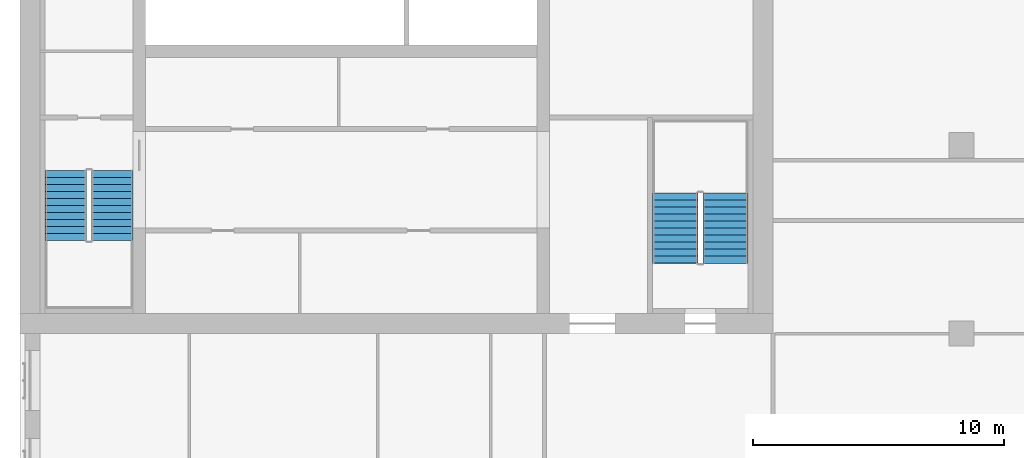
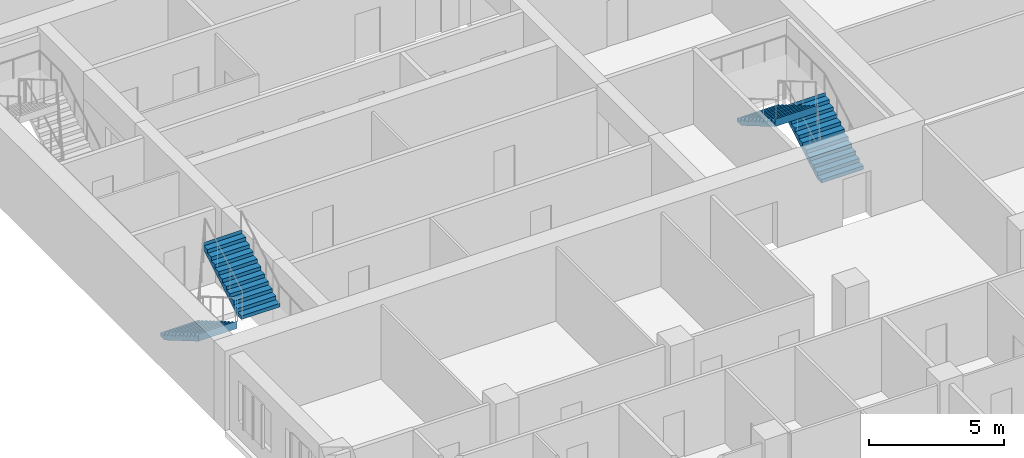
# One storey, part 12 of 14: 4 stair flights, 2 elements without a shape of their own.
"""IFC4 building model written with IfcOpenShell, lengths in metres."""

import ifcopenshell
import ifcopenshell.guid

model = None  # the IFC model being written
_history = None  # IfcOwnerHistory: only IFC2X3 demands one
_inside = {}  # id of a spatial element -> (the spatial element, [elements in it])
_under = {}  # id of a project, library or spatial element -> (it, [spatial elements below it])
_declared = {}  # id of a project -> (the project, [libraries it declares])
_typed = {}  # id of a type object -> (the type object, [elements of that type])
_made_of = {}  # id of a material, layer set ... -> (it, [elements and type objects made of it])


def new_model(schema):
    """Start an empty IFC model of exactly this schema.

    Asked for "IFC4X3", IfcOpenShell would pick the latest addendum, in which some entities
    have other attributes; the version numbers below select the first issue.
    IFC2X3 requires an IfcOwnerHistory on every rooted entity: one is made here for all.
    """
    global model, _history
    if schema == "IFC4X3":
        model = ifcopenshell.file(schema_version=(4, 3, 0, 0))
    else:
        model = ifcopenshell.file(schema=schema)
    _inside.clear()
    _under.clear()
    _declared.clear()
    _typed.clear()
    _made_of.clear()
    _history = None
    if model.schema == "IFC2X3":
        org = make("IfcOrganization", Name="unknown")
        user = make(
            "IfcPersonAndOrganization",
            ThePerson=make("IfcPerson", FamilyName="unknown"),
            TheOrganization=org,
        )
        app = make(
            "IfcApplication",
            ApplicationDeveloper=org,
            Version="unknown",
            ApplicationFullName="unknown",
            ApplicationIdentifier="unknown",
        )
        _history = make(
            "IfcOwnerHistory",
            OwningUser=user,
            OwningApplication=app,
            ChangeAction="ADDED",
            CreationDate=0,
        )
    return model


def make(cls, **values):
    """One entity of the class cls with the attributes given. An attribute that is None is left unset."""
    return model.create_entity(
        cls, **{name: value for name, value in values.items() if value is not None}
    )


def rooted(cls, **values):
    """An entity with a GlobalId (a new one), such as an element, a storey or a relation."""
    return make(cls, GlobalId=ifcopenshell.guid.new(), OwnerHistory=_history, **values)


def si_unit(unit_type, name, prefix=None):
    """IfcSIUnit, for example si_unit("LENGTHUNIT", "METRE", prefix="MILLI")."""
    return make("IfcSIUnit", UnitType=unit_type, Prefix=prefix, Name=name)


def assignment(units):
    """IfcUnitAssignment: the units of a project."""
    return None if units is None else make("IfcUnitAssignment", Units=units)


def point(xyz):
    """IfcCartesianPoint."""
    return None if xyz is None else make("IfcCartesianPoint", Coordinates=xyz)


def direction(xyz):
    """IfcDirection."""
    return None if xyz is None else make("IfcDirection", DirectionRatios=xyz)


def frame(location, z_axis=None, x_axis=None):
    """IfcAxis2Placement3D, a coordinate frame: its origin and axes. An axis left out is left unset."""
    return make(
        "IfcAxis2Placement3D",
        Location=point(location),
        Axis=direction(z_axis),
        RefDirection=direction(x_axis),
    )


def origin():
    """The frame at (0, 0, 0) with its axes left unset."""
    return frame((0.0, 0.0, 0.0))


def place(relative_to, where):
    """IfcLocalPlacement: puts the frame where relative to a parent placement (None: the world)."""
    return make(
        "IfcLocalPlacement", PlacementRelTo=relative_to, RelativePlacement=where
    )


def context(
    kind, dimensions, precision=None, world=None, true_north=None, identifier=None
):
    """IfcGeometricRepresentationContext, for example the 3D "Model" context."""
    return make(
        "IfcGeometricRepresentationContext",
        ContextIdentifier=identifier,
        ContextType=kind,
        CoordinateSpaceDimension=dimensions,
        Precision=precision,
        WorldCoordinateSystem=world,
        TrueNorth=true_north,
    )


def subcontext(parent, identifier, kind, view, scale=None):
    """IfcGeometricRepresentationSubContext, for example "Body" below "Model"."""
    return make(
        "IfcGeometricRepresentationSubContext",
        ContextIdentifier=identifier,
        ContextType=kind,
        ParentContext=parent,
        TargetScale=scale,
        TargetView=view,
    )


def project(units=None, contexts=None):
    """IfcProject with its units and contexts."""
    return rooted(
        "IfcProject",
        Name="project",
        RepresentationContexts=contexts,
        UnitsInContext=assignment(units),
    )


def spatial(cls, under=None, at=None, **own):
    """A site, building, storey or space (cls), placed at a placement, below another one or the project."""
    s = rooted(cls, ObjectPlacement=at, **own)
    if under is not None:
        _under.setdefault(under.id(), (under, []))[1].append(s)
    return s


def polyline(points):
    """IfcPolyline through the points."""
    return make("IfcPolyline", Points=[point(p) for p in points])


def outline(outer, holes=None, kind="AREA"):
    """IfcArbitraryClosedProfileDef: a profile drawn as a closed curve; with holes, ...WithVoids."""
    if holes is None:
        return make("IfcArbitraryClosedProfileDef", ProfileType=kind, OuterCurve=outer)
    return make(
        "IfcArbitraryProfileDefWithVoids",
        ProfileType=kind,
        OuterCurve=outer,
        InnerCurves=holes,
    )


def extrude(swept, where, along, depth):
    """IfcExtrudedAreaSolid: the profile swept, set in the frame where, extruded along a direction by depth."""
    return make(
        "IfcExtrudedAreaSolid",
        SweptArea=swept,
        Position=where,
        ExtrudedDirection=direction(along),
        Depth=depth,
    )


def shape(context_of_items, identifier, shape_type, items):
    """IfcShapeRepresentation: the items that make up one representation, for example the "Body"."""
    return make(
        "IfcShapeRepresentation",
        ContextOfItems=context_of_items,
        RepresentationIdentifier=identifier,
        RepresentationType=shape_type,
        Items=items,
    )


def material(Name=None, Category=None):
    """IfcMaterial."""
    return make("IfcMaterial", Name=Name, Category=Category)


def made_of(thing, what):
    """Note that an element or type object is made of a material, layer set ...; save() writes the relation."""
    if what is not None:
        _made_of.setdefault(what.id(), (what, []))[1].append(thing)
    return thing


def type_object(cls, material=None, **own):
    """A type object (cls), such as IfcWallType, which elements share."""
    return made_of(rooted(cls, **own), material)


def element(
    cls,
    number,
    at=None,
    inside=None,
    cuts=None,
    type_object=None,
    material=None,
    context=None,
    identifier="Body",
    shape_type=None,
    held_by="IfcProductDefinitionShape",
    body=None,
    shapes=None,
    **own,
):
    """One element of the class cls, such as IfcWall. Its Tag is "e" and its number.

    at: its placement. inside: the storey or other place that contains it. cuts: it is an
    opening in that element (IfcRelVoidsElement). A single representation is given by context,
    identifier, shape_type and body (its items); several are given by shapes. held_by: the class
    of the entity that holds the representations. save() writes the other relations.
    """
    e = rooted(cls, Tag="e%d" % number, ObjectPlacement=at, **own)
    if body is not None:
        shapes = [shape(context, identifier, shape_type, body)]
    if shapes is not None:
        e.Representation = make(held_by, Representations=shapes)
    if inside is not None:
        _inside.setdefault(inside.id(), (inside, []))[1].append(e)
    if cuts is not None:
        rooted(
            "IfcRelVoidsElement", RelatingBuildingElement=cuts, RelatedOpeningElement=e
        )
    if type_object is not None:
        _typed.setdefault(type_object.id(), (type_object, []))[1].append(e)
    return made_of(e, material)


def aggregate(whole, parts):
    """IfcRelAggregates: a whole, such as a stair, and the parts it consists of."""
    return rooted("IfcRelAggregates", RelatingObject=whole, RelatedObjects=parts)


def save(model, path):
    """Write the relations noted so far, then the file.

    IfcRelAggregates (storeys below a building ...), IfcRelContainedInSpatialStructure (elements
    in a storey), IfcRelDefinesByType, IfcRelAssociatesMaterial and IfcRelDeclares: one each for
    every whole, place, type object, material and project.
    """
    for whole, parts in _under.values():
        aggregate(whole, parts)
    for where, things in _inside.values():
        rooted(
            "IfcRelContainedInSpatialStructure",
            RelatedElements=things,
            RelatingStructure=where,
        )
    for kind, things in _typed.values():
        rooted("IfcRelDefinesByType", RelatedObjects=things, RelatingType=kind)
    for what, things in _made_of.values():
        rooted("IfcRelAssociatesMaterial", RelatedObjects=things, RelatingMaterial=what)
    for by, libraries in _declared.values():
        rooted("IfcRelDeclares", RelatingContext=by, RelatedDefinitions=libraries)
    model.write(path)


model = new_model("IFC4")

# Units and contexts
model_context = context("Model", 3, precision=1e-05, world=origin(), true_north=direction((0.0, 1.0)))
body_context = subcontext(model_context, "Body", "Model", "MODEL_VIEW")
ifc_project = project(units=[si_unit("LENGTHUNIT", "METRE"), si_unit("AREAUNIT", "SQUARE_METRE"), si_unit("VOLUMEUNIT", "CUBIC_METRE"), si_unit("PLANEANGLEUNIT", "RADIAN"), si_unit("MASSUNIT", "GRAM", prefix="KILO")], contexts=[model_context])

# Site, building, storey
site_placement = place(None, origin())
site = spatial("IfcSite", under=ifc_project, at=site_placement, CompositionType="ELEMENT")
building_placement = place(site_placement, origin())
building = spatial("IfcBuilding", under=site, at=building_placement, Name="Tamorin Gate", CompositionType="ELEMENT")
storey_placement = place(building_placement, frame((0.0, 0.0, 137.39990234375)))
storey = spatial("IfcBuildingStorey", under=building, at=storey_placement, Name="L33", CompositionType="ELEMENT", Elevation=137.39990234375)

# Stair, stair flights
ifc_material = material(Name="Concrete C40/50", Category="concrete")
stair_type = type_object("IfcStairType", Name="Exit stair", PredefinedType="HALF_TURN_STAIR", material=ifc_material)
stair_1_placement = place(storey_placement, origin())
stair_1 = element("IfcStair", 1, at=stair_1_placement, inside=storey, type_object=stair_type, Name="L33 stair ST1", PredefinedType="HALF_TURN_STAIR")
stair_flight_type = type_object("IfcStairFlightType", Name="Exit stair flight", PredefinedType="STRAIGHT", material=ifc_material)
stair_flight_1_placement = place(storey_placement, frame((31.824951171875, 66.5, 0.0), z_axis=(0.0, 0.0, 1.0), x_axis=(0.0, -1.0, 0.0)))
stair_flight_1 = element("IfcStairFlight", 2, at=stair_flight_1_placement, type_object=stair_flight_type, Name="ST1 flight 1", NumberOfRisers=11, NumberOfTreads=10, PredefinedType="STRAIGHT", RiserHeight=0.163636364, TreadLength=0.28, context=body_context, shape_type="SweptSolid", body=[
    extrude(outline(polyline([(-0.00048828125, 0.0), (-0.00048828125, 0.001708984375), (-0.00048828125, 0.003173828125), (-0.00048828125, 0.0048828125), (-0.00048828125, 0.006591796875), (-0.00048828125, 0.008056640625), (-0.00048828125, 0.009765625), (-0.00048828125, 0.01123046875), (-0.00048828125, 0.012939453125), (-0.00048828125, 0.0146484375), (-0.00048828125, 0.01611328125), (-0.00048828125, 0.017822265625), (-0.00048828125, 0.01953125), (-0.00048828125, 0.02099609375), (-0.00048828125, 0.022705078125), (-0.00048828125, 0.0244140625), (-0.00048828125, 0.02587890625), (-0.00048828125, 0.027587890625), (-0.00048828125, 0.029052734375), (-0.00048828125, 0.03076171875), (-0.00048828125, 0.032470703125), (-0.00048828125, 0.033935546875), (-0.00048828125, 0.03564453125), (-0.00048828125, 0.037353515625), (-0.00048828125, 0.038818359375), (-0.00048828125, 0.04052734375), (-0.00048828125, 0.042236328125), (-0.00048828125, 0.043701171875), (-0.00048828125, 0.04541015625), (-0.00048828125, 0.046875), (-0.00048828125, 0.048583984375), (-0.00048828125, 0.05029296875), (-0.00048828125, 0.0517578125), (-0.00048828125, 0.053466796875), (-0.00048828125, 0.05517578125), (-0.00048828125, 0.056640625), (-0.00048828125, 0.058349609375), (-0.00048828125, 0.06005859375), (-0.00048828125, 0.0615234375), (-0.00048828125, 0.063232421875), (-0.00048828125, 0.064697265625), (-0.00048828125, 0.06640625), (-0.00048828125, 0.068115234375), (-0.00048828125, 0.069580078125), (-0.00048828125, 0.0712890625), (-0.00048828125, 0.072998046875), (-0.00048828125, 0.074462890625), (-0.00048828125, 0.076171875), (-0.00048828125, 0.077880859375), (-0.00048828125, 0.079345703125), (-0.00048828125, 0.0810546875), (-0.00048828125, 0.08251953125), (-0.00048828125, 0.084228515625), (-0.00048828125, 0.0859375), (-0.00048828125, 0.08740234375), (-0.00048828125, 0.089111328125), (-0.00048828125, 0.0908203125), (-0.00048828125, 0.09228515625), (-0.00048828125, 0.093994140625), (-0.00048828125, 0.095703125), (-0.00048828125, 0.09716796875), (-0.00048828125, 0.098876953125), (-0.00048828125, 0.100341796875), (-0.00048828125, 0.10205078125), (-0.00048828125, 0.103759765625), (-0.00048828125, 0.105224609375), (-0.00048828125, 0.10693359375), (-0.00048828125, 0.108642578125), (-0.00048828125, 0.110107421875), (-0.00048828125, 0.11181640625), (-0.00048828125, 0.113525390625), (-0.00048828125, 0.114990234375), (-0.00048828125, 0.11669921875), (-0.00048828125, 0.1181640625), (-0.00048828125, 0.119873046875), (-0.00048828125, 0.12158203125), (-0.00048828125, 0.123046875), (-0.00048828125, 0.124755859375), (-0.00048828125, 0.12646484375), (-0.00048828125, 0.1279296875), (-0.00048828125, 0.129638671875), (-0.00048828125, 0.13134765625), (-0.00048828125, 0.1328125), (-0.00048828125, 0.134521484375), (-0.00048828125, 0.135986328125), (-0.00048828125, 0.1376953125), (-0.00048828125, 0.139404296875), (-0.00048828125, 0.140869140625), (-0.00048828125, 0.142578125), (-0.00048828125, 0.144287109375), (-0.00048828125, 0.145751953125), (-0.00048828125, 0.1474609375), (-0.00048828125, 0.149169921875), (-0.00048828125, 0.150634765625), (-0.00048828125, 0.15234375), (-0.00048828125, 0.15380859375), (-0.00048828125, 0.155517578125), (-0.00048828125, 0.1572265625), (-0.00048828125, 0.15869140625), (-0.00048828125, 0.160400390625), (-0.00048828125, 0.162109375), (-0.00048828125, 0.16357421875), (0.280029296875, 0.16357421875), (0.280029296875, 0.327392578125), (0.56005859375, 0.327392578125), (0.56005859375, 0.490966796875), (0.840087890625, 0.490966796875), (0.840087890625, 0.654541015625), (1.1201171875, 0.654541015625), (1.1201171875, 0.818115234375), (1.39990234375, 0.818115234375), (1.39990234375, 0.98193359375), (1.679931640625, 0.98193359375), (1.679931640625, 1.1455078125), (1.9599609375, 1.1455078125), (1.9599609375, 1.30908203125), (2.239990234375, 1.30908203125), (2.239990234375, 1.47265625), (2.52001953125, 1.47265625), (2.52001953125, 1.636474609375), (2.800048828125, 1.636474609375), (2.800048828125, 1.800048828125), (2.800537109375, 1.800048828125), (2.800537109375, 1.796630859375), (2.800537109375, 1.793212890625), (2.800537109375, 1.7900390625), (2.800537109375, 1.78662109375), (2.800537109375, 1.783203125), (2.800537109375, 1.780029296875), (2.800537109375, 1.776611328125), (2.800537109375, 1.773193359375), (2.800537109375, 1.77001953125), (2.800537109375, 1.7666015625), (2.800537109375, 1.76318359375), (2.800537109375, 1.760009765625), (2.800537109375, 1.756591796875), (2.800537109375, 1.753173828125), (2.800537109375, 1.75), (2.800537109375, 1.74658203125), (2.800537109375, 1.7431640625), (2.800537109375, 1.739990234375), (2.800537109375, 1.736572265625), (2.800537109375, 1.733154296875), (2.800537109375, 1.72998046875), (2.800537109375, 1.7265625), (2.800537109375, 1.72314453125), (2.800537109375, 1.719970703125), (2.800537109375, 1.716552734375), (2.800537109375, 1.713134765625), (2.800537109375, 1.7099609375), (2.800537109375, 1.70654296875), (2.800537109375, 1.703125), (2.800537109375, 1.69970703125), (2.800537109375, 1.696533203125), (2.800537109375, 1.693115234375), (2.800537109375, 1.689697265625), (2.800537109375, 1.6865234375), (2.800537109375, 1.68310546875), (2.800537109375, 1.6796875), (2.800537109375, 1.676513671875), (2.800537109375, 1.673095703125), (2.800537109375, 1.669677734375), (2.800537109375, 1.66650390625), (2.800537109375, 1.6630859375), (2.800537109375, 1.65966796875), (2.800537109375, 1.656494140625), (2.800537109375, 1.653076171875), (2.800537109375, 1.649658203125), (2.800537109375, 1.646484375), (2.800537109375, 1.64306640625), (2.800537109375, 1.6396484375), (2.800537109375, 1.636474609375), (2.800537109375, 1.633056640625), (2.800537109375, 1.629638671875), (2.800537109375, 1.62646484375), (2.800537109375, 1.623046875), (2.800537109375, 1.61962890625), (2.800537109375, 1.616455078125), (2.800537109375, 1.613037109375), (2.800537109375, 1.609619140625), (2.800537109375, 1.6064453125), (2.800537109375, 1.60302734375), (2.800537109375, 1.599609375), (2.800537109375, 1.59619140625), (2.800537109375, 1.593017578125), (2.800537109375, 1.589599609375), (2.800537109375, 1.586181640625), (2.800537109375, 1.5830078125), (2.800537109375, 1.57958984375), (2.800537109375, 1.576171875), (2.800537109375, 1.572998046875), (2.800537109375, 1.569580078125), (2.800537109375, 1.566162109375), (2.800537109375, 1.56298828125), (2.800537109375, 1.5595703125), (2.800537109375, 1.55615234375), (2.800537109375, 1.552978515625), (2.800537109375, 1.549560546875), (2.800537109375, 1.546142578125), (2.800537109375, 1.54296875), (2.800537109375, 1.53955078125), (2.800537109375, 1.5361328125), (2.800537109375, 1.532958984375), (2.800537109375, 1.529541015625), (2.800537109375, 1.526123046875), (2.800537109375, 1.52294921875), (2.800537109375, 1.51953125), (2.800537109375, 1.51611328125), (2.800537109375, 1.512939453125), (2.800537109375, 1.509521484375), (2.800537109375, 1.506103515625), (2.800537109375, 1.5029296875), (2.800537109375, 1.49951171875), (2.800537109375, 1.49609375), (2.800537109375, 1.49267578125), (2.800537109375, 1.489501953125), (2.800537109375, 1.486083984375), (2.800537109375, 1.482666015625), (2.800537109375, 1.4794921875), (2.800537109375, 1.47607421875), (2.800537109375, 1.47265625), (2.800537109375, 1.469482421875), (2.800537109375, 1.466064453125), (2.800537109375, 1.462646484375), (2.800048828125, 1.462646484375), (0.297119140625, 0.0), (-0.00048828125, 0.0)])), frame((0.0, 0.824951171875, 0.0), z_axis=(0.0, -1.0, 0.0), x_axis=(1.0, 0.0, 0.0)), (0.0, 0.0, 1.0), 1.64990234375),
])
stair_flight_2_placement = place(storey_placement, frame((33.675048828125, 63.699951171875, 1.800048828125), z_axis=(0.0, 0.0, 1.0), x_axis=(0.0, 1.0, 0.0)))
stair_flight_2 = element("IfcStairFlight", 3, at=stair_flight_2_placement, type_object=stair_flight_type, Name="ST1 flight 2", NumberOfRisers=11, NumberOfTreads=10, PredefinedType="STRAIGHT", RiserHeight=0.163636364, TreadLength=0.28, context=body_context, shape_type="SweptSolid", body=[
    extrude(outline(polyline([(-0.00048828125, 0.0), (-0.00048828125, 0.001708984375), (-0.00048828125, 0.003173828125), (-0.00048828125, 0.0048828125), (-0.00048828125, 0.006591796875), (-0.00048828125, 0.008056640625), (-0.00048828125, 0.009765625), (-0.00048828125, 0.01123046875), (-0.00048828125, 0.012939453125), (-0.00048828125, 0.0146484375), (-0.00048828125, 0.01611328125), (-0.00048828125, 0.017822265625), (-0.00048828125, 0.01953125), (-0.00048828125, 0.02099609375), (-0.00048828125, 0.022705078125), (-0.00048828125, 0.0244140625), (-0.00048828125, 0.02587890625), (-0.00048828125, 0.027587890625), (-0.00048828125, 0.029052734375), (-0.00048828125, 0.03076171875), (-0.00048828125, 0.032470703125), (-0.00048828125, 0.033935546875), (-0.00048828125, 0.03564453125), (-0.00048828125, 0.037353515625), (-0.00048828125, 0.038818359375), (-0.00048828125, 0.04052734375), (-0.00048828125, 0.042236328125), (-0.00048828125, 0.043701171875), (-0.00048828125, 0.04541015625), (-0.00048828125, 0.046875), (-0.00048828125, 0.048583984375), (-0.00048828125, 0.05029296875), (-0.00048828125, 0.0517578125), (-0.00048828125, 0.053466796875), (-0.00048828125, 0.05517578125), (-0.00048828125, 0.056640625), (-0.00048828125, 0.058349609375), (-0.00048828125, 0.06005859375), (-0.00048828125, 0.0615234375), (-0.00048828125, 0.063232421875), (-0.00048828125, 0.064697265625), (-0.00048828125, 0.06640625), (-0.00048828125, 0.068115234375), (-0.00048828125, 0.069580078125), (-0.00048828125, 0.0712890625), (-0.00048828125, 0.072998046875), (-0.00048828125, 0.074462890625), (-0.00048828125, 0.076171875), (-0.00048828125, 0.077880859375), (-0.00048828125, 0.079345703125), (-0.00048828125, 0.0810546875), (-0.00048828125, 0.08251953125), (-0.00048828125, 0.084228515625), (-0.00048828125, 0.0859375), (-0.00048828125, 0.08740234375), (-0.00048828125, 0.089111328125), (-0.00048828125, 0.0908203125), (-0.00048828125, 0.09228515625), (-0.00048828125, 0.093994140625), (-0.00048828125, 0.095703125), (-0.00048828125, 0.09716796875), (-0.00048828125, 0.098876953125), (-0.00048828125, 0.100341796875), (-0.00048828125, 0.10205078125), (-0.00048828125, 0.103759765625), (-0.00048828125, 0.105224609375), (-0.00048828125, 0.10693359375), (-0.00048828125, 0.108642578125), (-0.00048828125, 0.110107421875), (-0.00048828125, 0.11181640625), (-0.00048828125, 0.113525390625), (-0.00048828125, 0.114990234375), (-0.00048828125, 0.11669921875), (-0.00048828125, 0.1181640625), (-0.00048828125, 0.119873046875), (-0.00048828125, 0.12158203125), (-0.00048828125, 0.123046875), (-0.00048828125, 0.124755859375), (-0.00048828125, 0.12646484375), (-0.00048828125, 0.1279296875), (-0.00048828125, 0.129638671875), (-0.00048828125, 0.13134765625), (-0.00048828125, 0.1328125), (-0.00048828125, 0.134521484375), (-0.00048828125, 0.135986328125), (-0.00048828125, 0.1376953125), (-0.00048828125, 0.139404296875), (-0.00048828125, 0.140869140625), (-0.00048828125, 0.142578125), (-0.00048828125, 0.144287109375), (-0.00048828125, 0.145751953125), (-0.00048828125, 0.1474609375), (-0.00048828125, 0.149169921875), (-0.00048828125, 0.150634765625), (-0.00048828125, 0.15234375), (-0.00048828125, 0.15380859375), (-0.00048828125, 0.155517578125), (-0.00048828125, 0.1572265625), (-0.00048828125, 0.15869140625), (-0.00048828125, 0.160400390625), (-0.00048828125, 0.162109375), (-0.00048828125, 0.16357421875), (0.280029296875, 0.16357421875), (0.280029296875, 0.327392578125), (0.56005859375, 0.327392578125), (0.56005859375, 0.490966796875), (0.840087890625, 0.490966796875), (0.840087890625, 0.654541015625), (1.1201171875, 0.654541015625), (1.1201171875, 0.818115234375), (1.39990234375, 0.818115234375), (1.39990234375, 0.98193359375), (1.679931640625, 0.98193359375), (1.679931640625, 1.1455078125), (1.9599609375, 1.1455078125), (1.9599609375, 1.30908203125), (2.239990234375, 1.30908203125), (2.239990234375, 1.47265625), (2.52001953125, 1.47265625), (2.52001953125, 1.636474609375), (2.800048828125, 1.636474609375), (2.800048828125, 1.800048828125), (2.800537109375, 1.800048828125), (2.800537109375, 1.796630859375), (2.800537109375, 1.793212890625), (2.800537109375, 1.7900390625), (2.800537109375, 1.78662109375), (2.800537109375, 1.783203125), (2.800537109375, 1.780029296875), (2.800537109375, 1.776611328125), (2.800537109375, 1.773193359375), (2.800537109375, 1.77001953125), (2.800537109375, 1.7666015625), (2.800537109375, 1.76318359375), (2.800537109375, 1.760009765625), (2.800537109375, 1.756591796875), (2.800537109375, 1.753173828125), (2.800537109375, 1.75), (2.800537109375, 1.74658203125), (2.800537109375, 1.7431640625), (2.800537109375, 1.739990234375), (2.800537109375, 1.736572265625), (2.800537109375, 1.733154296875), (2.800537109375, 1.72998046875), (2.800537109375, 1.7265625), (2.800537109375, 1.72314453125), (2.800537109375, 1.719970703125), (2.800537109375, 1.716552734375), (2.800537109375, 1.713134765625), (2.800537109375, 1.7099609375), (2.800537109375, 1.70654296875), (2.800537109375, 1.703125), (2.800537109375, 1.69970703125), (2.800537109375, 1.696533203125), (2.800537109375, 1.693115234375), (2.800537109375, 1.689697265625), (2.800537109375, 1.6865234375), (2.800537109375, 1.68310546875), (2.800537109375, 1.6796875), (2.800537109375, 1.676513671875), (2.800537109375, 1.673095703125), (2.800537109375, 1.669677734375), (2.800537109375, 1.66650390625), (2.800537109375, 1.6630859375), (2.800537109375, 1.65966796875), (2.800537109375, 1.656494140625), (2.800537109375, 1.653076171875), (2.800537109375, 1.649658203125), (2.800537109375, 1.646484375), (2.800537109375, 1.64306640625), (2.800537109375, 1.6396484375), (2.800537109375, 1.636474609375), (2.800537109375, 1.633056640625), (2.800537109375, 1.629638671875), (2.800537109375, 1.62646484375), (2.800537109375, 1.623046875), (2.800537109375, 1.61962890625), (2.800537109375, 1.616455078125), (2.800537109375, 1.613037109375), (2.800537109375, 1.609619140625), (2.800537109375, 1.6064453125), (2.800537109375, 1.60302734375), (2.800537109375, 1.599609375), (2.800537109375, 1.59619140625), (2.800537109375, 1.593017578125), (2.800537109375, 1.589599609375), (2.800537109375, 1.586181640625), (2.800537109375, 1.5830078125), (2.800537109375, 1.57958984375), (2.800537109375, 1.576171875), (2.800537109375, 1.572998046875), (2.800537109375, 1.569580078125), (2.800537109375, 1.566162109375), (2.800537109375, 1.56298828125), (2.800537109375, 1.5595703125), (2.800537109375, 1.55615234375), (2.800537109375, 1.552978515625), (2.800537109375, 1.549560546875), (2.800537109375, 1.546142578125), (2.800537109375, 1.54296875), (2.800537109375, 1.53955078125), (2.800537109375, 1.5361328125), (2.800537109375, 1.532958984375), (2.800537109375, 1.529541015625), (2.800537109375, 1.526123046875), (2.800537109375, 1.52294921875), (2.800537109375, 1.51953125), (2.800537109375, 1.51611328125), (2.800537109375, 1.512939453125), (2.800537109375, 1.509521484375), (2.800537109375, 1.506103515625), (2.800537109375, 1.5029296875), (2.800537109375, 1.49951171875), (2.800537109375, 1.49609375), (2.800537109375, 1.49267578125), (2.800537109375, 1.489501953125), (2.800537109375, 1.486083984375), (2.800537109375, 1.482666015625), (2.800537109375, 1.4794921875), (2.800537109375, 1.47607421875), (2.800537109375, 1.47265625), (2.800537109375, 1.469482421875), (2.800537109375, 1.466064453125), (2.800537109375, 1.462646484375), (2.800048828125, 1.462646484375), (0.297119140625, 0.0), (-0.00048828125, 0.0)])), frame((0.0, 0.824951171875, 0.0), z_axis=(0.0, -1.0, 0.0), x_axis=(1.0, 0.0, 0.0)), (0.0, 0.0, 1.0), 1.64990234375),
])
aggregate(stair_1, [stair_flight_1, stair_flight_2])

stair_2_placement = place(storey_placement, origin())
stair_2 = element("IfcStair", 4, at=stair_2_placement, inside=storey, type_object=stair_type, Name="L33 stair ST3", PredefinedType="HALF_TURN_STAIR")
stair_flight_3_placement = place(storey_placement, frame((58.10009765625, 62.800048828125, 0.0), z_axis=(0.0, 0.0, 1.0), x_axis=(0.0, 1.0, 0.0)))
stair_flight_3 = element("IfcStairFlight", 5, at=stair_flight_3_placement, type_object=stair_flight_type, Name="ST3 flight 1", NumberOfRisers=11, NumberOfTreads=10, PredefinedType="STRAIGHT", RiserHeight=0.163636364, TreadLength=0.28, context=body_context, shape_type="SweptSolid", body=[
    extrude(outline(polyline([(-0.00048828125, 0.0), (-0.00048828125, 0.001708984375), (-0.00048828125, 0.003173828125), (-0.00048828125, 0.0048828125), (-0.00048828125, 0.006591796875), (-0.00048828125, 0.008056640625), (-0.00048828125, 0.009765625), (-0.00048828125, 0.01123046875), (-0.00048828125, 0.012939453125), (-0.00048828125, 0.0146484375), (-0.00048828125, 0.01611328125), (-0.00048828125, 0.017822265625), (-0.00048828125, 0.01953125), (-0.00048828125, 0.02099609375), (-0.00048828125, 0.022705078125), (-0.00048828125, 0.0244140625), (-0.00048828125, 0.02587890625), (-0.00048828125, 0.027587890625), (-0.00048828125, 0.029052734375), (-0.00048828125, 0.03076171875), (-0.00048828125, 0.032470703125), (-0.00048828125, 0.033935546875), (-0.00048828125, 0.03564453125), (-0.00048828125, 0.037353515625), (-0.00048828125, 0.038818359375), (-0.00048828125, 0.04052734375), (-0.00048828125, 0.042236328125), (-0.00048828125, 0.043701171875), (-0.00048828125, 0.04541015625), (-0.00048828125, 0.046875), (-0.00048828125, 0.048583984375), (-0.00048828125, 0.05029296875), (-0.00048828125, 0.0517578125), (-0.00048828125, 0.053466796875), (-0.00048828125, 0.05517578125), (-0.00048828125, 0.056640625), (-0.00048828125, 0.058349609375), (-0.00048828125, 0.06005859375), (-0.00048828125, 0.0615234375), (-0.00048828125, 0.063232421875), (-0.00048828125, 0.064697265625), (-0.00048828125, 0.06640625), (-0.00048828125, 0.068115234375), (-0.00048828125, 0.069580078125), (-0.00048828125, 0.0712890625), (-0.00048828125, 0.072998046875), (-0.00048828125, 0.074462890625), (-0.00048828125, 0.076171875), (-0.00048828125, 0.077880859375), (-0.00048828125, 0.079345703125), (-0.00048828125, 0.0810546875), (-0.00048828125, 0.08251953125), (-0.00048828125, 0.084228515625), (-0.00048828125, 0.0859375), (-0.00048828125, 0.08740234375), (-0.00048828125, 0.089111328125), (-0.00048828125, 0.0908203125), (-0.00048828125, 0.09228515625), (-0.00048828125, 0.093994140625), (-0.00048828125, 0.095703125), (-0.00048828125, 0.09716796875), (-0.00048828125, 0.098876953125), (-0.00048828125, 0.100341796875), (-0.00048828125, 0.10205078125), (-0.00048828125, 0.103759765625), (-0.00048828125, 0.105224609375), (-0.00048828125, 0.10693359375), (-0.00048828125, 0.108642578125), (-0.00048828125, 0.110107421875), (-0.00048828125, 0.11181640625), (-0.00048828125, 0.113525390625), (-0.00048828125, 0.114990234375), (-0.00048828125, 0.11669921875), (-0.00048828125, 0.1181640625), (-0.00048828125, 0.119873046875), (-0.00048828125, 0.12158203125), (-0.00048828125, 0.123046875), (-0.00048828125, 0.124755859375), (-0.00048828125, 0.12646484375), (-0.00048828125, 0.1279296875), (-0.00048828125, 0.129638671875), (-0.00048828125, 0.13134765625), (-0.00048828125, 0.1328125), (-0.00048828125, 0.134521484375), (-0.00048828125, 0.135986328125), (-0.00048828125, 0.1376953125), (-0.00048828125, 0.139404296875), (-0.00048828125, 0.140869140625), (-0.00048828125, 0.142578125), (-0.00048828125, 0.144287109375), (-0.00048828125, 0.145751953125), (-0.00048828125, 0.1474609375), (-0.00048828125, 0.149169921875), (-0.00048828125, 0.150634765625), (-0.00048828125, 0.15234375), (-0.00048828125, 0.15380859375), (-0.00048828125, 0.155517578125), (-0.00048828125, 0.1572265625), (-0.00048828125, 0.15869140625), (-0.00048828125, 0.160400390625), (-0.00048828125, 0.162109375), (-0.00048828125, 0.16357421875), (0.280029296875, 0.16357421875), (0.280029296875, 0.327392578125), (0.56005859375, 0.327392578125), (0.56005859375, 0.490966796875), (0.840087890625, 0.490966796875), (0.840087890625, 0.654541015625), (1.1201171875, 0.654541015625), (1.1201171875, 0.818115234375), (1.39990234375, 0.818115234375), (1.39990234375, 0.98193359375), (1.679931640625, 0.98193359375), (1.679931640625, 1.1455078125), (1.9599609375, 1.1455078125), (1.9599609375, 1.30908203125), (2.239990234375, 1.30908203125), (2.239990234375, 1.47265625), (2.52001953125, 1.47265625), (2.52001953125, 1.636474609375), (2.800048828125, 1.636474609375), (2.800048828125, 1.800048828125), (2.800537109375, 1.800048828125), (2.800537109375, 1.796630859375), (2.800537109375, 1.793212890625), (2.800537109375, 1.7900390625), (2.800537109375, 1.78662109375), (2.800537109375, 1.783203125), (2.800537109375, 1.780029296875), (2.800537109375, 1.776611328125), (2.800537109375, 1.773193359375), (2.800537109375, 1.77001953125), (2.800537109375, 1.7666015625), (2.800537109375, 1.76318359375), (2.800537109375, 1.760009765625), (2.800537109375, 1.756591796875), (2.800537109375, 1.753173828125), (2.800537109375, 1.75), (2.800537109375, 1.74658203125), (2.800537109375, 1.7431640625), (2.800537109375, 1.739990234375), (2.800537109375, 1.736572265625), (2.800537109375, 1.733154296875), (2.800537109375, 1.72998046875), (2.800537109375, 1.7265625), (2.800537109375, 1.72314453125), (2.800537109375, 1.719970703125), (2.800537109375, 1.716552734375), (2.800537109375, 1.713134765625), (2.800537109375, 1.7099609375), (2.800537109375, 1.70654296875), (2.800537109375, 1.703125), (2.800537109375, 1.69970703125), (2.800537109375, 1.696533203125), (2.800537109375, 1.693115234375), (2.800537109375, 1.689697265625), (2.800537109375, 1.6865234375), (2.800537109375, 1.68310546875), (2.800537109375, 1.6796875), (2.800537109375, 1.676513671875), (2.800537109375, 1.673095703125), (2.800537109375, 1.669677734375), (2.800537109375, 1.66650390625), (2.800537109375, 1.6630859375), (2.800537109375, 1.65966796875), (2.800537109375, 1.656494140625), (2.800537109375, 1.653076171875), (2.800537109375, 1.649658203125), (2.800537109375, 1.646484375), (2.800537109375, 1.64306640625), (2.800537109375, 1.6396484375), (2.800537109375, 1.636474609375), (2.800537109375, 1.633056640625), (2.800537109375, 1.629638671875), (2.800537109375, 1.62646484375), (2.800537109375, 1.623046875), (2.800537109375, 1.61962890625), (2.800537109375, 1.616455078125), (2.800537109375, 1.613037109375), (2.800537109375, 1.609619140625), (2.800537109375, 1.6064453125), (2.800537109375, 1.60302734375), (2.800537109375, 1.599609375), (2.800537109375, 1.59619140625), (2.800537109375, 1.593017578125), (2.800537109375, 1.589599609375), (2.800537109375, 1.586181640625), (2.800537109375, 1.5830078125), (2.800537109375, 1.57958984375), (2.800537109375, 1.576171875), (2.800537109375, 1.572998046875), (2.800537109375, 1.569580078125), (2.800537109375, 1.566162109375), (2.800537109375, 1.56298828125), (2.800537109375, 1.5595703125), (2.800537109375, 1.55615234375), (2.800537109375, 1.552978515625), (2.800537109375, 1.549560546875), (2.800537109375, 1.546142578125), (2.800537109375, 1.54296875), (2.800537109375, 1.53955078125), (2.800537109375, 1.5361328125), (2.800537109375, 1.532958984375), (2.800537109375, 1.529541015625), (2.800537109375, 1.526123046875), (2.800537109375, 1.52294921875), (2.800537109375, 1.51953125), (2.800537109375, 1.51611328125), (2.800537109375, 1.512939453125), (2.800537109375, 1.509521484375), (2.800537109375, 1.506103515625), (2.800537109375, 1.5029296875), (2.800537109375, 1.49951171875), (2.800537109375, 1.49609375), (2.800537109375, 1.49267578125), (2.800537109375, 1.489501953125), (2.800537109375, 1.486083984375), (2.800537109375, 1.482666015625), (2.800537109375, 1.4794921875), (2.800537109375, 1.47607421875), (2.800537109375, 1.47265625), (2.800537109375, 1.469482421875), (2.800537109375, 1.466064453125), (2.800537109375, 1.462646484375), (2.800048828125, 1.462646484375), (0.297119140625, 0.0), (-0.00048828125, 0.0)])), frame((0.0, 0.89990234375, 0.0), z_axis=(0.0, -1.0, 0.0), x_axis=(1.0, 0.0, 0.0)), (0.0, 0.0, 1.0), 1.800048828125),
])
stair_flight_4_placement = place(storey_placement, frame((56.10009765625, 65.60009765625, 1.800048828125), z_axis=(0.0, 0.0, 1.0), x_axis=(0.0, -1.0, 0.0)))
stair_flight_4 = element("IfcStairFlight", 6, at=stair_flight_4_placement, type_object=stair_flight_type, Name="ST3 flight 2", NumberOfRisers=11, NumberOfTreads=10, PredefinedType="STRAIGHT", RiserHeight=0.163636364, TreadLength=0.28, context=body_context, shape_type="SweptSolid", body=[
    extrude(outline(polyline([(-0.00048828125, 0.0), (-0.00048828125, 0.001708984375), (-0.00048828125, 0.003173828125), (-0.00048828125, 0.0048828125), (-0.00048828125, 0.006591796875), (-0.00048828125, 0.008056640625), (-0.00048828125, 0.009765625), (-0.00048828125, 0.01123046875), (-0.00048828125, 0.012939453125), (-0.00048828125, 0.0146484375), (-0.00048828125, 0.01611328125), (-0.00048828125, 0.017822265625), (-0.00048828125, 0.01953125), (-0.00048828125, 0.02099609375), (-0.00048828125, 0.022705078125), (-0.00048828125, 0.0244140625), (-0.00048828125, 0.02587890625), (-0.00048828125, 0.027587890625), (-0.00048828125, 0.029052734375), (-0.00048828125, 0.03076171875), (-0.00048828125, 0.032470703125), (-0.00048828125, 0.033935546875), (-0.00048828125, 0.03564453125), (-0.00048828125, 0.037353515625), (-0.00048828125, 0.038818359375), (-0.00048828125, 0.04052734375), (-0.00048828125, 0.042236328125), (-0.00048828125, 0.043701171875), (-0.00048828125, 0.04541015625), (-0.00048828125, 0.046875), (-0.00048828125, 0.048583984375), (-0.00048828125, 0.05029296875), (-0.00048828125, 0.0517578125), (-0.00048828125, 0.053466796875), (-0.00048828125, 0.05517578125), (-0.00048828125, 0.056640625), (-0.00048828125, 0.058349609375), (-0.00048828125, 0.06005859375), (-0.00048828125, 0.0615234375), (-0.00048828125, 0.063232421875), (-0.00048828125, 0.064697265625), (-0.00048828125, 0.06640625), (-0.00048828125, 0.068115234375), (-0.00048828125, 0.069580078125), (-0.00048828125, 0.0712890625), (-0.00048828125, 0.072998046875), (-0.00048828125, 0.074462890625), (-0.00048828125, 0.076171875), (-0.00048828125, 0.077880859375), (-0.00048828125, 0.079345703125), (-0.00048828125, 0.0810546875), (-0.00048828125, 0.08251953125), (-0.00048828125, 0.084228515625), (-0.00048828125, 0.0859375), (-0.00048828125, 0.08740234375), (-0.00048828125, 0.089111328125), (-0.00048828125, 0.0908203125), (-0.00048828125, 0.09228515625), (-0.00048828125, 0.093994140625), (-0.00048828125, 0.095703125), (-0.00048828125, 0.09716796875), (-0.00048828125, 0.098876953125), (-0.00048828125, 0.100341796875), (-0.00048828125, 0.10205078125), (-0.00048828125, 0.103759765625), (-0.00048828125, 0.105224609375), (-0.00048828125, 0.10693359375), (-0.00048828125, 0.108642578125), (-0.00048828125, 0.110107421875), (-0.00048828125, 0.11181640625), (-0.00048828125, 0.113525390625), (-0.00048828125, 0.114990234375), (-0.00048828125, 0.11669921875), (-0.00048828125, 0.1181640625), (-0.00048828125, 0.119873046875), (-0.00048828125, 0.12158203125), (-0.00048828125, 0.123046875), (-0.00048828125, 0.124755859375), (-0.00048828125, 0.12646484375), (-0.00048828125, 0.1279296875), (-0.00048828125, 0.129638671875), (-0.00048828125, 0.13134765625), (-0.00048828125, 0.1328125), (-0.00048828125, 0.134521484375), (-0.00048828125, 0.135986328125), (-0.00048828125, 0.1376953125), (-0.00048828125, 0.139404296875), (-0.00048828125, 0.140869140625), (-0.00048828125, 0.142578125), (-0.00048828125, 0.144287109375), (-0.00048828125, 0.145751953125), (-0.00048828125, 0.1474609375), (-0.00048828125, 0.149169921875), (-0.00048828125, 0.150634765625), (-0.00048828125, 0.15234375), (-0.00048828125, 0.15380859375), (-0.00048828125, 0.155517578125), (-0.00048828125, 0.1572265625), (-0.00048828125, 0.15869140625), (-0.00048828125, 0.160400390625), (-0.00048828125, 0.162109375), (-0.00048828125, 0.16357421875), (0.280029296875, 0.16357421875), (0.280029296875, 0.327392578125), (0.56005859375, 0.327392578125), (0.56005859375, 0.490966796875), (0.840087890625, 0.490966796875), (0.840087890625, 0.654541015625), (1.1201171875, 0.654541015625), (1.1201171875, 0.818115234375), (1.39990234375, 0.818115234375), (1.39990234375, 0.98193359375), (1.679931640625, 0.98193359375), (1.679931640625, 1.1455078125), (1.9599609375, 1.1455078125), (1.9599609375, 1.30908203125), (2.239990234375, 1.30908203125), (2.239990234375, 1.47265625), (2.52001953125, 1.47265625), (2.52001953125, 1.636474609375), (2.800048828125, 1.636474609375), (2.800048828125, 1.800048828125), (2.800537109375, 1.800048828125), (2.800537109375, 1.796630859375), (2.800537109375, 1.793212890625), (2.800537109375, 1.7900390625), (2.800537109375, 1.78662109375), (2.800537109375, 1.783203125), (2.800537109375, 1.780029296875), (2.800537109375, 1.776611328125), (2.800537109375, 1.773193359375), (2.800537109375, 1.77001953125), (2.800537109375, 1.7666015625), (2.800537109375, 1.76318359375), (2.800537109375, 1.760009765625), (2.800537109375, 1.756591796875), (2.800537109375, 1.753173828125), (2.800537109375, 1.75), (2.800537109375, 1.74658203125), (2.800537109375, 1.7431640625), (2.800537109375, 1.739990234375), (2.800537109375, 1.736572265625), (2.800537109375, 1.733154296875), (2.800537109375, 1.72998046875), (2.800537109375, 1.7265625), (2.800537109375, 1.72314453125), (2.800537109375, 1.719970703125), (2.800537109375, 1.716552734375), (2.800537109375, 1.713134765625), (2.800537109375, 1.7099609375), (2.800537109375, 1.70654296875), (2.800537109375, 1.703125), (2.800537109375, 1.69970703125), (2.800537109375, 1.696533203125), (2.800537109375, 1.693115234375), (2.800537109375, 1.689697265625), (2.800537109375, 1.6865234375), (2.800537109375, 1.68310546875), (2.800537109375, 1.6796875), (2.800537109375, 1.676513671875), (2.800537109375, 1.673095703125), (2.800537109375, 1.669677734375), (2.800537109375, 1.66650390625), (2.800537109375, 1.6630859375), (2.800537109375, 1.65966796875), (2.800537109375, 1.656494140625), (2.800537109375, 1.653076171875), (2.800537109375, 1.649658203125), (2.800537109375, 1.646484375), (2.800537109375, 1.64306640625), (2.800537109375, 1.6396484375), (2.800537109375, 1.636474609375), (2.800537109375, 1.633056640625), (2.800537109375, 1.629638671875), (2.800537109375, 1.62646484375), (2.800537109375, 1.623046875), (2.800537109375, 1.61962890625), (2.800537109375, 1.616455078125), (2.800537109375, 1.613037109375), (2.800537109375, 1.609619140625), (2.800537109375, 1.6064453125), (2.800537109375, 1.60302734375), (2.800537109375, 1.599609375), (2.800537109375, 1.59619140625), (2.800537109375, 1.593017578125), (2.800537109375, 1.589599609375), (2.800537109375, 1.586181640625), (2.800537109375, 1.5830078125), (2.800537109375, 1.57958984375), (2.800537109375, 1.576171875), (2.800537109375, 1.572998046875), (2.800537109375, 1.569580078125), (2.800537109375, 1.566162109375), (2.800537109375, 1.56298828125), (2.800537109375, 1.5595703125), (2.800537109375, 1.55615234375), (2.800537109375, 1.552978515625), (2.800537109375, 1.549560546875), (2.800537109375, 1.546142578125), (2.800537109375, 1.54296875), (2.800537109375, 1.53955078125), (2.800537109375, 1.5361328125), (2.800537109375, 1.532958984375), (2.800537109375, 1.529541015625), (2.800537109375, 1.526123046875), (2.800537109375, 1.52294921875), (2.800537109375, 1.51953125), (2.800537109375, 1.51611328125), (2.800537109375, 1.512939453125), (2.800537109375, 1.509521484375), (2.800537109375, 1.506103515625), (2.800537109375, 1.5029296875), (2.800537109375, 1.49951171875), (2.800537109375, 1.49609375), (2.800537109375, 1.49267578125), (2.800537109375, 1.489501953125), (2.800537109375, 1.486083984375), (2.800537109375, 1.482666015625), (2.800537109375, 1.4794921875), (2.800537109375, 1.47607421875), (2.800537109375, 1.47265625), (2.800537109375, 1.469482421875), (2.800537109375, 1.466064453125), (2.800537109375, 1.462646484375), (2.800048828125, 1.462646484375), (0.297119140625, 0.0), (-0.00048828125, 0.0)])), frame((0.0, 0.89990234375, 0.0), z_axis=(0.0, -1.0, 0.0), x_axis=(1.0, 0.0, 0.0)), (0.0, 0.0, 1.0), 1.800048828125),
])
aggregate(stair_2, [stair_flight_3, stair_flight_4])

save(model, "model.ifc")
